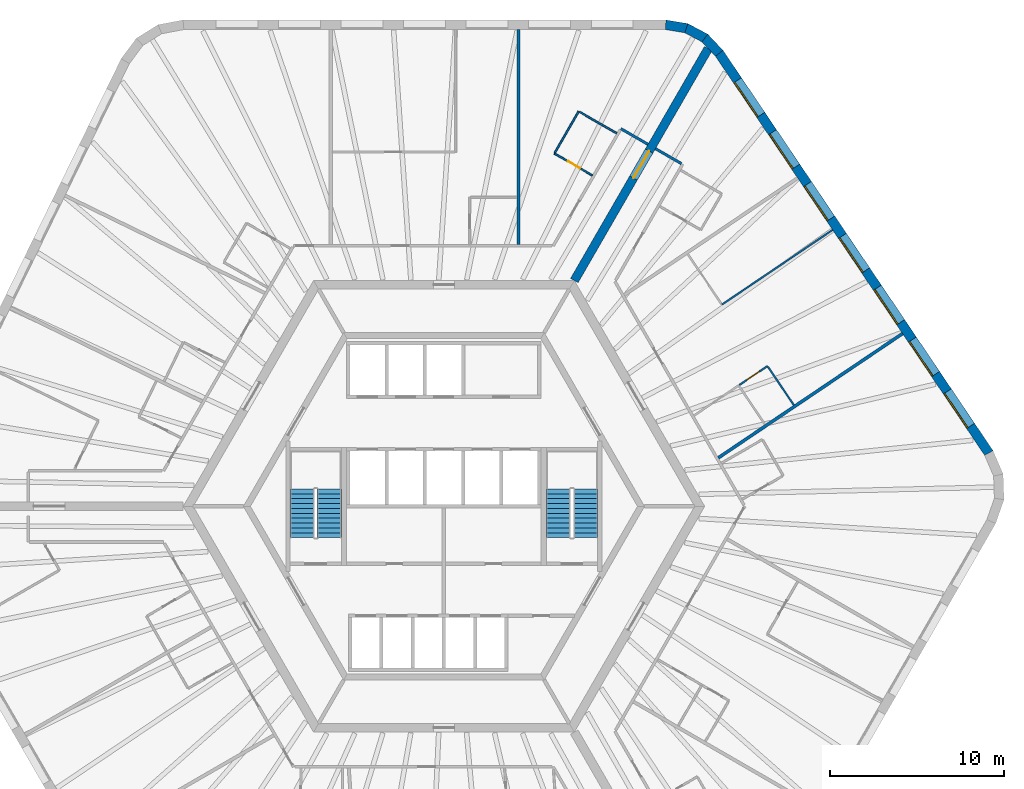
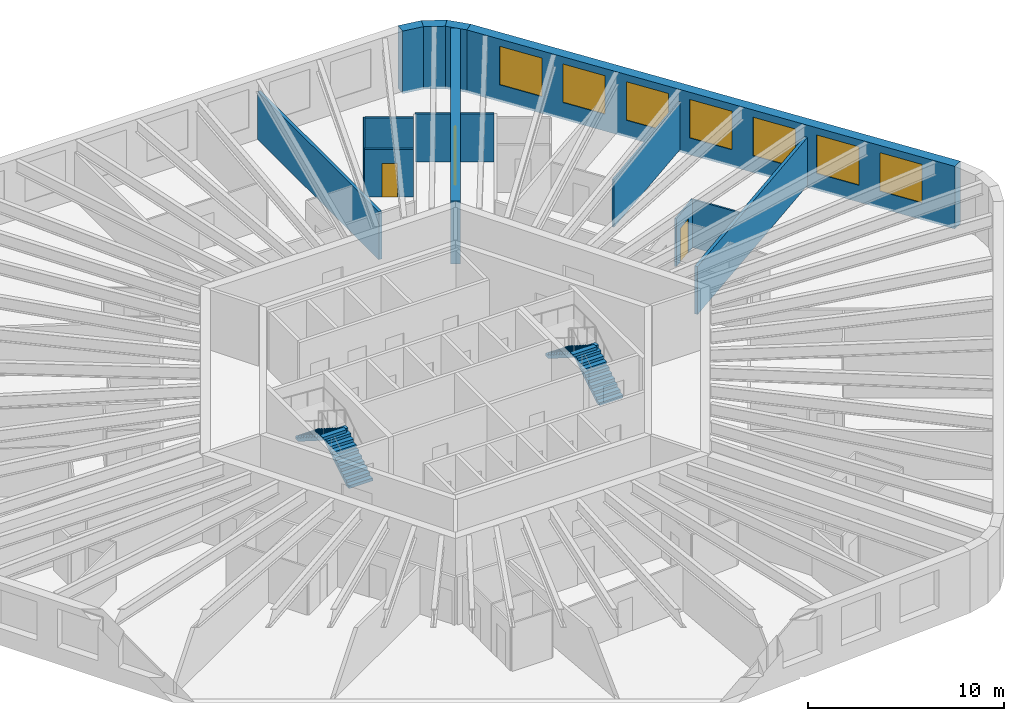
# One storey, part 9 of 10: 15 walls, 7 windows, 4 stair flights, 3 doors, 10 openings, 2 elements without a shape of their own.
"""IFC4 building model written with IfcOpenShell, lengths in metres."""

from ifc_helpers import new_model, si_unit, direction, frame, frame_2d, origin, place, context, subcontext, project, spatial, polyline, rectangle, outline, extrude, material, layer, layer_set, type_object, element, fill, aggregate, save


model = new_model("IFC4")

# Units and contexts
model_context = context("Model", 3, precision=1e-05, world=origin(), true_north=direction((0.0, 1.0)))
body_context = subcontext(model_context, "Body", "Model", "MODEL_VIEW")
ifc_project = project(units=[si_unit("LENGTHUNIT", "METRE"), si_unit("AREAUNIT", "SQUARE_METRE"), si_unit("VOLUMEUNIT", "CUBIC_METRE"), si_unit("PLANEANGLEUNIT", "RADIAN"), si_unit("MASSUNIT", "GRAM", prefix="KILO")], contexts=[model_context])

# Site, building, storey
site_placement = place(None, origin())
site = spatial("IfcSite", under=ifc_project, at=site_placement, CompositionType="ELEMENT")
building_placement = place(site_placement, origin())
building = spatial("IfcBuilding", under=site, at=building_placement, Name="Tarnside Tower", CompositionType="ELEMENT")
storey_placement = place(building_placement, frame((0.0, 0.0, 191.699951171875)))
storey = spatial("IfcBuildingStorey", under=building, at=storey_placement, Name="L45", CompositionType="ELEMENT", Elevation=191.699951171875)

# Wall, opening, door
ifc_material_1 = material(Name="Gypsum board partition on steel studs", Category="steel")
ifc_layer_1 = layer(ifc_material_1, 0.10009765625)
ifc_layer_set_1 = layer_set([ifc_layer_1], Name="Bathroom wall 100")
wall_type_1 = type_object("IfcWallType", Name="Bathroom wall 100", PredefinedType="PARTITIONING", material=ifc_layer_set_1)
wall_1_placement = place(storey_placement, frame((8.546142578125, 19.052490234375, 0.0), z_axis=(0.0, 0.0, 1.0), x_axis=(-0.866039067339, 0.499976333282, 0.0)))
wall_1 = element("IfcWall", 1, at=wall_1_placement, inside=storey, type_object=wall_type_1, Name="Bathroom wall 14053", PredefinedType="PARTITIONING", context=body_context, shape_type="SweptSolid", body=[
    extrude(rectangle(XDim=2.52490234375, YDim=0.10009765625, at=frame_2d((1.262451171875, 0.0))), origin(), (0.0, 0.0, 1.0), 2.98779296875),
])
opening_1_placement = place(wall_1_placement, frame((0.824951171875, 0.0, 0.0)))
opening_1 = element("IfcOpeningElement", 2, at=opening_1_placement, cuts=wall_1, Name="Opening D-B1", PredefinedType="OPENING", context=body_context, shape_type="SweptSolid", body=[
    extrude(rectangle(XDim=0.800048828125, YDim=2.10009765625, at=frame_2d((0.39990234375, 1.050048828125))), frame((0.0, 0.06005859375, 0.0), z_axis=(0.0, -1.0, 0.0), x_axis=(1.0, 0.0, 0.0)), (0.0, 0.0, 1.0), 0.1201171875),
])
ifc_material_2 = material(Name="Timber door leaf", Category="wood")
door_type_1 = type_object("IfcDoorType", Name="Bathroom door 800", OperationType="NOTDEFINED", PredefinedType="DOOR", material=ifc_material_2)
door_1_placement = place(opening_1_placement, origin())
door_1 = element("IfcDoor", 3, at=door_1_placement, inside=storey, type_object=door_type_1, Name="Bathroom door 14002", OperationType="SINGLE_SWING_RIGHT", OverallHeight=2.10009765625, OverallWidth=0.800048828125, PredefinedType="DOOR", context=body_context, shape_type="SweptSolid", body=[
    extrude(rectangle(XDim=0.800048828125, YDim=2.10009765625, at=frame_2d((0.39990234375, 1.050048828125))), frame((0.0, 0.02490234375, 0.0), z_axis=(0.0, -1.0, 0.0), x_axis=(1.0, 0.0, 0.0)), (0.0, 0.0, 1.0), 0.050048828125),
])
fill(opening_1, door_1)

# Walls
wall_2_placement = place(storey_placement, frame((6.384521484375, 20.358154296875, 0.0), z_axis=(0.0, 0.0, 1.0), x_axis=(0.499996545922, 0.866027397988, 0.0)))
element("IfcWall", 4, at=wall_2_placement, inside=storey, type_object=wall_type_1, Name="Bathroom wall 14054", PredefinedType="PARTITIONING", context=body_context, shape_type="SweptSolid", body=[
    extrude(rectangle(XDim=2.75, YDim=0.10009765625, at=frame_2d((1.375, 0.0))), origin(), (0.0, 0.0, 1.0), 2.98779296875),
])
wall_3_placement = place(storey_placement, frame((7.802734375, 22.71484375, 0.0), z_axis=(0.0, 0.0, 1.0), x_axis=(0.866006523861, -0.500032699561, 0.0)))
element("IfcWall", 5, at=wall_3_placement, inside=storey, type_object=wall_type_1, Name="Bathroom wall 14055", PredefinedType="PARTITIONING", context=body_context, shape_type="SweptSolid", body=[
    extrude(rectangle(XDim=2.474853515625, YDim=0.10009765625, at=frame_2d((1.2373046875, 0.0))), origin(), (0.0, 0.0, 1.0), 2.98779296875),
])

# Wall, opening, door
ifc_material_3 = material(Name="Concrete C70/85", Category="concrete")
ifc_layer_2 = layer(ifc_material_3, 0.5)
ifc_layer_set_2 = layer_set([ifc_layer_2], Name="Core wall Z2 500 C70/85")
wall_type_2 = type_object("IfcWallType", Name="Core wall Z2 500 C70/85", PredefinedType="SHEAR", material=ifc_layer_set_2)
wall_4_placement = place(storey_placement, frame((7.505615234375, 13.0, -0.14990234375), z_axis=(0.0, 0.0, 1.0), x_axis=(0.499988271576, 0.866032175087, 0.0)))
wall_4 = element("IfcWall", 6, at=wall_4_placement, inside=storey, type_object=wall_type_2, Name="L45 spine wall 1", PredefinedType="SHEAR", context=body_context, shape_type="SweptSolid", body=[
    extrude(rectangle(XDim=15.423583984375, YDim=0.5, at=frame_2d((7.7119140625, 0.0))), origin(), (0.0, 0.0, 1.0), 3.89990234375),
])
opening_2_placement = place(wall_4_placement, frame((6.811767578125, 0.0, 0.14990234375)))
opening_2 = element("IfcOpeningElement", 7, at=opening_2_placement, cuts=wall_4, Name="Opening CD-SPN", PredefinedType="OPENING", context=body_context, shape_type="SweptSolid", body=[
    extrude(rectangle(XDim=1.800048828125, YDim=2.39990234375, at=frame_2d((0.89990234375, 1.199951171875))), frame((0.0, 0.260009765625, 0.0), z_axis=(0.0, -1.0, 0.0), x_axis=(1.0, 0.0, 0.0)), (0.0, 0.0, 1.0), 0.52001953125),
])
ifc_material_4 = material(Name="Steel fire door", Category="steel")
door_type_2 = type_object("IfcDoorType", Name="Spine passage double door FD60 1800x2400", OperationType="NOTDEFINED", PredefinedType="DOOR", material=ifc_material_4)
door_2_placement = place(opening_2_placement, origin())
door_2 = element("IfcDoor", 8, at=door_2_placement, inside=storey, type_object=door_type_2, Name="L45 spine passage door 1", OperationType="DOUBLE_DOOR_SINGLE_SWING", OverallHeight=2.39990234375, OverallWidth=1.800048828125, PredefinedType="DOOR", context=body_context, shape_type="SweptSolid", body=[
    extrude(rectangle(XDim=1.800048828125, YDim=2.39990234375, at=frame_2d((0.89990234375, 1.199951171875))), frame((0.0, 0.02490234375, 0.0), z_axis=(0.0, -1.0, 0.0), x_axis=(1.0, 0.0, 0.0)), (0.0, 0.0, 1.0), 0.050048828125),
])
fill(opening_2, door_2)

# Walls
ifc_layer_3 = layer(ifc_material_1, 0.14990234375)
ifc_layer_set_3 = layer_set([ifc_layer_3], Name="Corridor wall 150 EI 60")
wall_type_3 = type_object("IfcWallType", Name="Corridor wall 150 EI 60", PredefinedType="PARTITIONING", material=ifc_layer_set_3)
wall_5_placement = place(storey_placement, frame((11.744873046875, 20.8427734375, 0.0), z_axis=(0.0, 0.0, 1.0), x_axis=(-0.865989075817, 0.500062916607, 0.0)))
element("IfcWall", 9, at=wall_5_placement, inside=storey, type_object=wall_type_3, Name="Corridor wall 14003", PredefinedType="PARTITIONING", context=body_context, shape_type="SweptSolid", body=[
    extrude(rectangle(XDim=1.800048828125, YDim=0.14990234375, at=frame_2d((0.89990234375, 0.0))), origin(), (0.0, 0.0, 1.0), 2.98779296875),
])
wall_6_placement = place(storey_placement, frame((13.671875, 19.73046875, 0.0), z_axis=(0.0, 0.0, 1.0), x_axis=(-0.866074815912, 0.499914405916, 0.0)))
element("IfcWall", 10, at=wall_6_placement, inside=storey, type_object=wall_type_3, Name="Corridor wall 14051", PredefinedType="PARTITIONING", context=body_context, shape_type="SweptSolid", body=[
    extrude(rectangle(XDim=1.724853515625, YDim=0.14990234375, at=frame_2d((0.8623046875, 0.0))), origin(), (0.0, 0.0, 1.0), 2.98779296875),
])
ifc_layer_4 = layer(ifc_material_1, 0.179931640625)
ifc_layer_set_4 = layer_set([ifc_layer_4], Name="Demising wall 180 EI 60")
wall_type_4 = type_object("IfcWallType", Name="Demising wall 180 EI 60", PredefinedType="PARTITIONING", material=ifc_layer_set_4)
wall_7_placement = place(storey_placement, frame((4.2822265625, 27.449951171875, 0.0), z_axis=(0.0, 0.0, 1.0), x_axis=(0.0, -1.0, 0.0)))
element("IfcWall", 11, at=wall_7_placement, inside=storey, type_object=wall_type_4, Name="Demising wall 14056", PredefinedType="PARTITIONING", context=body_context, shape_type="SweptSolid", body=[
    extrude(rectangle(XDim=12.375, YDim=0.179931640625, at=frame_2d((6.1875, 0.0))), origin(), (0.0, 0.0, 1.0), 2.98779296875),
])
wall_8_placement = place(storey_placement, frame((26.40185546875, 9.9462890625, 0.0), z_axis=(0.0, 0.0, 1.0), x_axis=(-0.829037771727, -0.559192608187, 0.0)))
element("IfcWall", 12, at=wall_8_placement, inside=storey, type_object=wall_type_4, Name="Demising wall 14117", PredefinedType="PARTITIONING", context=body_context, shape_type="SweptSolid", body=[
    extrude(rectangle(XDim=12.7939453125, YDim=0.179931640625, at=frame_2d((6.39697265625, 0.0))), origin(), (0.0, 0.0, 1.0), 2.98779296875),
])

# Wall, opening, door
ifc_layer_5 = layer(ifc_material_1, 0.10009765625)
ifc_layer_set_5 = layer_set([ifc_layer_5], Name="Partition 100")
wall_type_5 = type_object("IfcWallType", Name="Partition 100", PredefinedType="PARTITIONING", material=ifc_layer_set_5)
wall_9_placement = place(storey_placement, frame((17.0087890625, 6.98779296875, 0.0), z_axis=(0.0, 0.0, 1.0), x_axis=(0.828974932022, 0.559285760662, 0.0)))
wall_9 = element("IfcWall", 13, at=wall_9_placement, inside=storey, type_object=wall_type_5, Name="Partition wall 14121", PredefinedType="PARTITIONING", context=body_context, shape_type="SweptSolid", body=[
    extrude(rectangle(XDim=1.949951171875, YDim=0.10009765625, at=frame_2d((0.97509765625, 0.0))), origin(), (0.0, 0.0, 1.0), 2.98779296875),
])
opening_3_placement = place(wall_9_placement, frame((0.5, 0.0, 0.0)))
opening_3 = element("IfcOpeningElement", 14, at=opening_3_placement, cuts=wall_9, Name="Opening D-I1", PredefinedType="OPENING", context=body_context, shape_type="SweptSolid", body=[
    extrude(rectangle(XDim=0.89990234375, YDim=2.10009765625, at=frame_2d((0.449951171875, 1.050048828125))), frame((0.0, 0.06005859375, 0.0), z_axis=(0.0, -1.0, 0.0), x_axis=(1.0, 0.0, 0.0)), (0.0, 0.0, 1.0), 0.1201171875),
])
door_type_3 = type_object("IfcDoorType", Name="Internal door 900", OperationType="NOTDEFINED", PredefinedType="DOOR", material=ifc_material_2)
door_3_placement = place(opening_3_placement, origin())
door_3 = element("IfcDoor", 15, at=door_3_placement, inside=storey, type_object=door_type_3, Name="Internal door 14035", OperationType="SINGLE_SWING_RIGHT", OverallHeight=2.10009765625, OverallWidth=0.89990234375, PredefinedType="DOOR", context=body_context, shape_type="SweptSolid", body=[
    extrude(rectangle(XDim=0.89990234375, YDim=2.10009765625, at=frame_2d((0.449951171875, 1.050048828125))), frame((0.0, 0.02490234375, 0.0), z_axis=(0.0, -1.0, 0.0), x_axis=(1.0, 0.0, 0.0)), (0.0, 0.0, 1.0), 0.050048828125),
])
fill(opening_3, door_3)

# Walls
wall_10_placement = place(storey_placement, frame((18.6533203125, 8.036865234375, 0.0), z_axis=(0.0, 0.0, 1.0), x_axis=(0.559203284223, -0.829030570555, 0.0)))
element("IfcWall", 16, at=wall_10_placement, inside=storey, type_object=wall_type_5, Name="Partition wall 14122", PredefinedType="PARTITIONING", context=body_context, shape_type="SweptSolid", body=[
    extrude(rectangle(XDim=2.66015625, YDim=0.10009765625, at=frame_2d((1.330078125, 0.0))), origin(), (0.0, 0.0, 1.0), 2.98779296875),
])
wall_11_placement = place(storey_placement, frame((22.375732421875, 15.915283203125, 0.0), z_axis=(0.0, 0.0, 1.0), x_axis=(-0.829044752643, -0.559182258406, 0.0)))
element("IfcWall", 17, at=wall_11_placement, inside=storey, type_object=wall_type_5, Name="Partition wall 14123", PredefinedType="PARTITIONING", context=body_context, shape_type="SweptSolid", body=[
    extrude(rectangle(XDim=7.691650390625, YDim=0.10009765625, at=frame_2d((3.845703125, 0.0))), origin(), (0.0, 0.0, 1.0), 2.98779296875),
])

# Wall, openings, windows
ifc_material_5 = material(Name="Facing brick", Category="masonry")
ifc_layer_6 = layer(ifc_material_5, 0.10205078125)
ifc_material_6 = material(Name="Concrete C60/75 precast", Category="concrete")
ifc_layer_7 = layer(ifc_material_6, 0.347900390625)
ifc_material_7 = material(Name="Mineral wool insulation")
ifc_layer_8 = layer(ifc_material_7, 0.10009765625)
ifc_layer_set_6 = layer_set([ifc_layer_6, ifc_layer_7, ifc_layer_8], Name="Tube wall 550 brick faced")
wall_type_6 = type_object("IfcWallType", Name="Tube wall 550 brick faced", PredefinedType="SOLIDWALL", material=ifc_layer_set_6)
wall_12_placement = place(storey_placement, frame((31.37109375, 3.070556640625, -0.14990234375), z_axis=(0.0, 0.0, 1.0), x_axis=(-0.559189891278, 0.829039604297, 0.0)))
wall_12 = element("IfcWall", 18, at=wall_12_placement, inside=storey, type_object=wall_type_6, Name="Tube wall L45 F6 flush 20", PredefinedType="SOLIDWALL", context=body_context, shape_type="SweptSolid", body=[
    extrude(outline(polyline([(-0.025634765625, -0.27490234375), (27.780517578125, -0.27490234375), (27.735595703125, 0.27490234375), (0.025634765625, 0.27490234375), (-0.025634765625, -0.27490234375)])), origin(), (0.0, 0.0, 1.0), 3.89990234375),
])
opening_4_placement = place(wall_12_placement, frame((1.87890625, 0.0, 1.050048828125)))
opening_4 = element("IfcOpeningElement", 19, at=opening_4_placement, cuts=wall_12, Name="Opening WH", PredefinedType="OPENING", context=body_context, shape_type="SweptSolid", body=[
    extrude(rectangle(XDim=2.39990234375, YDim=2.39990234375, at=frame_2d((1.199951171875, 1.199951171875))), frame((0.0, 0.28515625, 0.0), z_axis=(0.0, -1.0, 0.0), x_axis=(1.0, 0.0, 0.0)), (0.0, 0.0, 1.0), 0.570068359375),
])
opening_5_placement = place(wall_12_placement, frame((5.47900390625, 0.0, 1.050048828125)))
opening_5 = element("IfcOpeningElement", 20, at=opening_5_placement, cuts=wall_12, Name="Opening WH", PredefinedType="OPENING", context=body_context, shape_type="SweptSolid", body=[
    extrude(rectangle(XDim=2.39990234375, YDim=2.39990234375, at=frame_2d((1.199951171875, 1.199951171875))), frame((0.0, 0.28515625, 0.0), z_axis=(0.0, -1.0, 0.0), x_axis=(1.0, 0.0, 0.0)), (0.0, 0.0, 1.0), 0.570068359375),
])
opening_6_placement = place(wall_12_placement, frame((9.078857421875, 0.0, 1.050048828125)))
opening_6 = element("IfcOpeningElement", 21, at=opening_6_placement, cuts=wall_12, Name="Opening WH", PredefinedType="OPENING", context=body_context, shape_type="SweptSolid", body=[
    extrude(rectangle(XDim=2.39990234375, YDim=2.39990234375, at=frame_2d((1.199951171875, 1.199951171875))), frame((0.0, 0.28515625, 0.0), z_axis=(0.0, -1.0, 0.0), x_axis=(1.0, 0.0, 0.0)), (0.0, 0.0, 1.0), 0.570068359375),
])
opening_7_placement = place(wall_12_placement, frame((12.678955078125, 0.0, 1.050048828125)))
opening_7 = element("IfcOpeningElement", 22, at=opening_7_placement, cuts=wall_12, Name="Opening WH", PredefinedType="OPENING", context=body_context, shape_type="SweptSolid", body=[
    extrude(rectangle(XDim=2.39990234375, YDim=2.39990234375, at=frame_2d((1.199951171875, 1.199951171875))), frame((0.0, 0.28515625, 0.0), z_axis=(0.0, -1.0, 0.0), x_axis=(1.0, 0.0, 0.0)), (0.0, 0.0, 1.0), 0.570068359375),
])
opening_8_placement = place(wall_12_placement, frame((16.27880859375, 0.0, 1.050048828125)))
opening_8 = element("IfcOpeningElement", 23, at=opening_8_placement, cuts=wall_12, Name="Opening WH", PredefinedType="OPENING", context=body_context, shape_type="SweptSolid", body=[
    extrude(rectangle(XDim=2.39990234375, YDim=2.39990234375, at=frame_2d((1.199951171875, 1.199951171875))), frame((0.0, 0.28515625, 0.0), z_axis=(0.0, -1.0, 0.0), x_axis=(1.0, 0.0, 0.0)), (0.0, 0.0, 1.0), 0.570068359375),
])
opening_9_placement = place(wall_12_placement, frame((19.87890625, 0.0, 1.050048828125)))
opening_9 = element("IfcOpeningElement", 24, at=opening_9_placement, cuts=wall_12, Name="Opening WH", PredefinedType="OPENING", context=body_context, shape_type="SweptSolid", body=[
    extrude(rectangle(XDim=2.39990234375, YDim=2.39990234375, at=frame_2d((1.199951171875, 1.199951171875))), frame((0.0, 0.28515625, 0.0), z_axis=(0.0, -1.0, 0.0), x_axis=(1.0, 0.0, 0.0)), (0.0, 0.0, 1.0), 0.570068359375),
])
opening_10_placement = place(wall_12_placement, frame((23.47900390625, 0.0, 1.050048828125)))
opening_10 = element("IfcOpeningElement", 25, at=opening_10_placement, cuts=wall_12, Name="Opening WH", PredefinedType="OPENING", context=body_context, shape_type="SweptSolid", body=[
    extrude(rectangle(XDim=2.39990234375, YDim=2.39990234375, at=frame_2d((1.199951171875, 1.199951171875))), frame((0.0, 0.28515625, 0.0), z_axis=(0.0, -1.0, 0.0), x_axis=(1.0, 0.0, 0.0)), (0.0, 0.0, 1.0), 0.570068359375),
])
ifc_material_8 = material(Name="Aluminium-framed double glazing", Category="aluminium")
window_type = type_object("IfcWindowType", Name="Hotel window 2400 x 2400", PartitioningType="DOUBLE_PANEL_VERTICAL", PredefinedType="WINDOW", material=ifc_material_8)
window_1_placement = place(opening_4_placement, frame((0.0, 0.205078125, 0.0)))
window_1 = element("IfcWindow", 26, at=window_1_placement, inside=storey, type_object=window_type, Name="E.WN.L45.F6.00", OverallHeight=2.39990234375, OverallWidth=2.39990234375, PartitioningType="DOUBLE_PANEL_VERTICAL", PredefinedType="WINDOW", context=body_context, shape_type="SweptSolid", body=[
    extrude(rectangle(XDim=2.39990234375, YDim=2.39990234375, at=frame_2d((1.199951171875, 1.199951171875))), frame((0.0, 0.030029296875, 0.0), z_axis=(0.0, -1.0, 0.0), x_axis=(1.0, 0.0, 0.0)), (0.0, 0.0, 1.0), 0.06005859375),
])
fill(opening_4, window_1)
window_2_placement = place(opening_5_placement, frame((0.0, 0.205078125, 0.0)))
window_2 = element("IfcWindow", 27, at=window_2_placement, inside=storey, type_object=window_type, Name="E.WN.L45.F6.01", OverallHeight=2.39990234375, OverallWidth=2.39990234375, PartitioningType="DOUBLE_PANEL_VERTICAL", PredefinedType="WINDOW", context=body_context, shape_type="SweptSolid", body=[
    extrude(rectangle(XDim=2.39990234375, YDim=2.39990234375, at=frame_2d((1.199951171875, 1.199951171875))), frame((0.0, 0.030029296875, 0.0), z_axis=(0.0, -1.0, 0.0), x_axis=(1.0, 0.0, 0.0)), (0.0, 0.0, 1.0), 0.06005859375),
])
fill(opening_5, window_2)
window_3_placement = place(opening_6_placement, frame((0.0, 0.205078125, 0.0)))
window_3 = element("IfcWindow", 28, at=window_3_placement, inside=storey, type_object=window_type, Name="E.WN.L45.F6.02", OverallHeight=2.39990234375, OverallWidth=2.39990234375, PartitioningType="DOUBLE_PANEL_VERTICAL", PredefinedType="WINDOW", context=body_context, shape_type="SweptSolid", body=[
    extrude(rectangle(XDim=2.39990234375, YDim=2.39990234375, at=frame_2d((1.199951171875, 1.199951171875))), frame((0.0, 0.030029296875, 0.0), z_axis=(0.0, -1.0, 0.0), x_axis=(1.0, 0.0, 0.0)), (0.0, 0.0, 1.0), 0.06005859375),
])
fill(opening_6, window_3)
window_4_placement = place(opening_7_placement, frame((0.0, 0.205078125, 0.0)))
window_4 = element("IfcWindow", 29, at=window_4_placement, inside=storey, type_object=window_type, Name="E.WN.L45.F6.03", OverallHeight=2.39990234375, OverallWidth=2.39990234375, PartitioningType="DOUBLE_PANEL_VERTICAL", PredefinedType="WINDOW", context=body_context, shape_type="SweptSolid", body=[
    extrude(rectangle(XDim=2.39990234375, YDim=2.39990234375, at=frame_2d((1.199951171875, 1.199951171875))), frame((0.0, 0.030029296875, 0.0), z_axis=(0.0, -1.0, 0.0), x_axis=(1.0, 0.0, 0.0)), (0.0, 0.0, 1.0), 0.06005859375),
])
fill(opening_7, window_4)
window_5_placement = place(opening_8_placement, frame((0.0, 0.205078125, 0.0)))
window_5 = element("IfcWindow", 30, at=window_5_placement, inside=storey, type_object=window_type, Name="E.WN.L45.F6.04", OverallHeight=2.39990234375, OverallWidth=2.39990234375, PartitioningType="DOUBLE_PANEL_VERTICAL", PredefinedType="WINDOW", context=body_context, shape_type="SweptSolid", body=[
    extrude(rectangle(XDim=2.39990234375, YDim=2.39990234375, at=frame_2d((1.199951171875, 1.199951171875))), frame((0.0, 0.030029296875, 0.0), z_axis=(0.0, -1.0, 0.0), x_axis=(1.0, 0.0, 0.0)), (0.0, 0.0, 1.0), 0.06005859375),
])
fill(opening_8, window_5)
window_6_placement = place(opening_9_placement, frame((0.0, 0.205078125, 0.0)))
window_6 = element("IfcWindow", 31, at=window_6_placement, inside=storey, type_object=window_type, Name="E.WN.L45.F6.05", OverallHeight=2.39990234375, OverallWidth=2.39990234375, PartitioningType="DOUBLE_PANEL_VERTICAL", PredefinedType="WINDOW", context=body_context, shape_type="SweptSolid", body=[
    extrude(rectangle(XDim=2.39990234375, YDim=2.39990234375, at=frame_2d((1.199951171875, 1.199951171875))), frame((0.0, 0.030029296875, 0.0), z_axis=(0.0, -1.0, 0.0), x_axis=(1.0, 0.0, 0.0)), (0.0, 0.0, 1.0), 0.06005859375),
])
fill(opening_9, window_6)
window_7_placement = place(opening_10_placement, frame((0.0, 0.205078125, 0.0)))
window_7 = element("IfcWindow", 32, at=window_7_placement, inside=storey, type_object=window_type, Name="E.WN.L45.F6.06", OverallHeight=2.39990234375, OverallWidth=2.39990234375, PartitioningType="DOUBLE_PANEL_VERTICAL", PredefinedType="WINDOW", context=body_context, shape_type="SweptSolid", body=[
    extrude(rectangle(XDim=2.39990234375, YDim=2.39990234375, at=frame_2d((1.199951171875, 1.199951171875))), frame((0.0, 0.030029296875, 0.0), z_axis=(0.0, -1.0, 0.0), x_axis=(1.0, 0.0, 0.0)), (0.0, 0.0, 1.0), 0.06005859375),
])
fill(opening_10, window_7)

# Walls
wall_13_placement = place(storey_placement, frame((15.84912109375, 26.0830078125, -0.14990234375), z_axis=(0.0, 0.0, 1.0), x_axis=(-0.686196220404, 0.727416488061, 0.0)))
element("IfcWall", 33, at=wall_13_placement, inside=storey, type_object=wall_type_6, Name="Tube wall L45 F6 chord 21", PredefinedType="SOLIDWALL", context=body_context, shape_type="SweptSolid", body=[
    extrude(outline(polyline([(-0.0224609375, -0.27490234375), (1.25341796875, -0.27490234375), (1.1630859375, 0.27490234375), (0.0224609375, 0.27490234375), (-0.0224609375, -0.27490234375)])), origin(), (0.0, 0.0, 1.0), 3.89990234375),
])
wall_14_placement = place(storey_placement, frame((15.02001953125, 26.9619140625, -0.14990234375), z_axis=(0.0, 0.0, 1.0), x_axis=(-0.882950818639, 0.469465495926, 0.0)))
element("IfcWall", 34, at=wall_14_placement, inside=storey, type_object=wall_type_6, Name="Tube wall L45 F6 chord 22", PredefinedType="SOLIDWALL", context=body_context, shape_type="SweptSolid", body=[
    extrude(outline(polyline([(-0.045166015625, -0.27490234375), (1.253173828125, -0.27490234375), (1.162841796875, 0.27490234375), (0.045166015625, 0.27490234375), (-0.045166015625, -0.27490234375)])), origin(), (0.0, 0.0, 1.0), 3.89990234375),
])
wall_15_placement = place(storey_placement, frame((13.953369140625, 27.529052734375, -0.14990234375), z_axis=(0.0, 0.0, 1.0), x_axis=(-0.986751945211, 0.162236243244, 0.0)))
element("IfcWall", 35, at=wall_15_placement, inside=storey, type_object=wall_type_6, Name="Tube wall L45 F6 chord 23", PredefinedType="SOLIDWALL", context=body_context, shape_type="SweptSolid", body=[
    extrude(outline(polyline([(-0.045166015625, -0.27490234375), (1.23095703125, -0.27490234375), (1.18603515625, 0.27490234375), (0.045166015625, 0.27490234375), (-0.045166015625, -0.27490234375)])), origin(), (0.0, 0.0, 1.0), 3.89990234375),
])

# Stair, stair flights
ifc_material_9 = material(Name="Concrete C40/50", Category="concrete")
stair_type = type_object("IfcStairType", Name="Exit stair 1400 clear", PredefinedType="HALF_TURN_STAIR", material=ifc_material_9)
stair_1_placement = place(storey_placement, origin())
stair_1 = element("IfcStair", 36, at=stair_1_placement, inside=storey, type_object=stair_type, Name="L45 Exit stair 1", PredefinedType="HALF_TURN_STAIR")
stair_flight_type = type_object("IfcStairFlightType", Name="Exit stair flight 1400", PredefinedType="STRAIGHT", material=ifc_material_9)
stair_flight_1_placement = place(storey_placement, frame((8.14990234375, -1.800048828125, 0.0), z_axis=(0.0, 0.0, 1.0), x_axis=(0.0, 1.0, 0.0)))
stair_flight_1 = element("IfcStairFlight", 37, at=stair_flight_1_placement, type_object=stair_flight_type, Name="ST1 flight 1", NumberOfRisers=11, NumberOfTreads=10, PredefinedType="STRAIGHT", RiserHeight=0.177272727, TreadLength=0.28, context=body_context, shape_type="SweptSolid", body=[
    extrude(outline(polyline([(0.0, 0.0), (0.0, 0.17724609375), (0.280029296875, 0.17724609375), (0.280029296875, 0.3544921875), (0.56005859375, 0.3544921875), (0.56005859375, 0.53173828125), (0.840087890625, 0.53173828125), (0.840087890625, 0.708984375), (1.1201171875, 0.708984375), (1.1201171875, 0.886474609375), (1.39990234375, 0.886474609375), (1.39990234375, 1.063720703125), (1.679931640625, 1.063720703125), (1.679931640625, 1.240966796875), (1.9599609375, 1.240966796875), (1.9599609375, 1.418212890625), (2.239990234375, 1.418212890625), (2.239990234375, 1.595458984375), (2.52001953125, 1.595458984375), (2.52001953125, 1.772705078125), (2.800048828125, 1.772705078125), (2.800048828125, 1.949951171875), (2.800048828125, 1.59521484375), (0.2802734375, 0.0), (0.0, 0.0)])), frame((0.0, 0.699951171875, 0.0), z_axis=(0.0, -1.0, 0.0), x_axis=(1.0, 0.0, 0.0)), (0.0, 0.0, 1.0), 1.39990234375),
])
stair_flight_2_placement = place(storey_placement, frame((6.60009765625, 1.0, 1.949951171875), z_axis=(0.0, 0.0, 1.0), x_axis=(0.0, -1.0, 0.0)))
stair_flight_2 = element("IfcStairFlight", 38, at=stair_flight_2_placement, type_object=stair_flight_type, Name="ST1 flight 2", NumberOfRisers=11, NumberOfTreads=10, PredefinedType="STRAIGHT", RiserHeight=0.177272727, TreadLength=0.28, context=body_context, shape_type="SweptSolid", body=[
    extrude(outline(polyline([(0.0, 0.0), (0.0, 0.17724609375), (0.280029296875, 0.17724609375), (0.280029296875, 0.3544921875), (0.56005859375, 0.3544921875), (0.56005859375, 0.53173828125), (0.840087890625, 0.53173828125), (0.840087890625, 0.708984375), (1.1201171875, 0.708984375), (1.1201171875, 0.886474609375), (1.39990234375, 0.886474609375), (1.39990234375, 1.063720703125), (1.679931640625, 1.063720703125), (1.679931640625, 1.240966796875), (1.9599609375, 1.240966796875), (1.9599609375, 1.418212890625), (2.239990234375, 1.418212890625), (2.239990234375, 1.595458984375), (2.52001953125, 1.595458984375), (2.52001953125, 1.772705078125), (2.800048828125, 1.772705078125), (2.800048828125, 1.949951171875), (2.800048828125, 1.59521484375), (0.2802734375, 0.0), (0.0, 0.0)])), frame((0.0, 0.699951171875, 0.0), z_axis=(0.0, -1.0, 0.0), x_axis=(1.0, 0.0, 0.0)), (0.0, 0.0, 1.0), 1.39990234375),
])
aggregate(stair_1, [stair_flight_1, stair_flight_2])

stair_2_placement = place(storey_placement, origin())
stair_2 = element("IfcStair", 39, at=stair_2_placement, inside=storey, type_object=stair_type, Name="L45 Exit stair 2", PredefinedType="HALF_TURN_STAIR")
stair_flight_3_placement = place(storey_placement, frame((-6.60009765625, -1.800048828125, 0.0), z_axis=(0.0, 0.0, 1.0), x_axis=(0.0, 1.0, 0.0)))
stair_flight_3 = element("IfcStairFlight", 40, at=stair_flight_3_placement, type_object=stair_flight_type, Name="ST2 flight 1", NumberOfRisers=11, NumberOfTreads=10, PredefinedType="STRAIGHT", RiserHeight=0.177272727, TreadLength=0.28, context=body_context, shape_type="SweptSolid", body=[
    extrude(outline(polyline([(0.0, 0.0), (0.0, 0.17724609375), (0.280029296875, 0.17724609375), (0.280029296875, 0.3544921875), (0.56005859375, 0.3544921875), (0.56005859375, 0.53173828125), (0.840087890625, 0.53173828125), (0.840087890625, 0.708984375), (1.1201171875, 0.708984375), (1.1201171875, 0.886474609375), (1.39990234375, 0.886474609375), (1.39990234375, 1.063720703125), (1.679931640625, 1.063720703125), (1.679931640625, 1.240966796875), (1.9599609375, 1.240966796875), (1.9599609375, 1.418212890625), (2.239990234375, 1.418212890625), (2.239990234375, 1.595458984375), (2.52001953125, 1.595458984375), (2.52001953125, 1.772705078125), (2.800048828125, 1.772705078125), (2.800048828125, 1.949951171875), (2.800048828125, 1.59521484375), (0.2802734375, 0.0), (0.0, 0.0)])), frame((0.0, 0.699951171875, 0.0), z_axis=(0.0, -1.0, 0.0), x_axis=(1.0, 0.0, 0.0)), (0.0, 0.0, 1.0), 1.39990234375),
])
stair_flight_4_placement = place(storey_placement, frame((-8.14990234375, 1.0, 1.949951171875), z_axis=(0.0, 0.0, 1.0), x_axis=(0.0, -1.0, 0.0)))
stair_flight_4 = element("IfcStairFlight", 41, at=stair_flight_4_placement, type_object=stair_flight_type, Name="ST2 flight 2", NumberOfRisers=11, NumberOfTreads=10, PredefinedType="STRAIGHT", RiserHeight=0.177272727, TreadLength=0.28, context=body_context, shape_type="SweptSolid", body=[
    extrude(outline(polyline([(0.0, 0.0), (0.0, 0.17724609375), (0.280029296875, 0.17724609375), (0.280029296875, 0.3544921875), (0.56005859375, 0.3544921875), (0.56005859375, 0.53173828125), (0.840087890625, 0.53173828125), (0.840087890625, 0.708984375), (1.1201171875, 0.708984375), (1.1201171875, 0.886474609375), (1.39990234375, 0.886474609375), (1.39990234375, 1.063720703125), (1.679931640625, 1.063720703125), (1.679931640625, 1.240966796875), (1.9599609375, 1.240966796875), (1.9599609375, 1.418212890625), (2.239990234375, 1.418212890625), (2.239990234375, 1.595458984375), (2.52001953125, 1.595458984375), (2.52001953125, 1.772705078125), (2.800048828125, 1.772705078125), (2.800048828125, 1.949951171875), (2.800048828125, 1.59521484375), (0.2802734375, 0.0), (0.0, 0.0)])), frame((0.0, 0.699951171875, 0.0), z_axis=(0.0, -1.0, 0.0), x_axis=(1.0, 0.0, 0.0)), (0.0, 0.0, 1.0), 1.39990234375),
])
aggregate(stair_2, [stair_flight_3, stair_flight_4])

save(model, "model.ifc")
